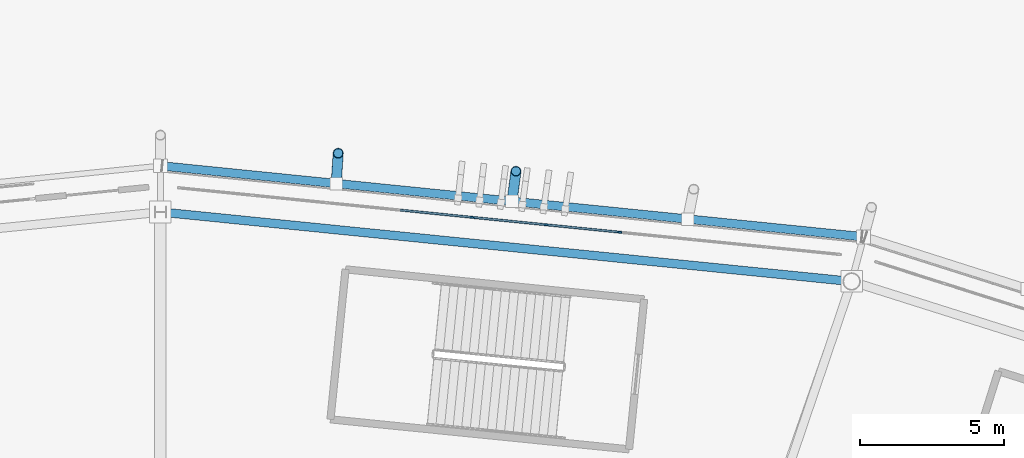
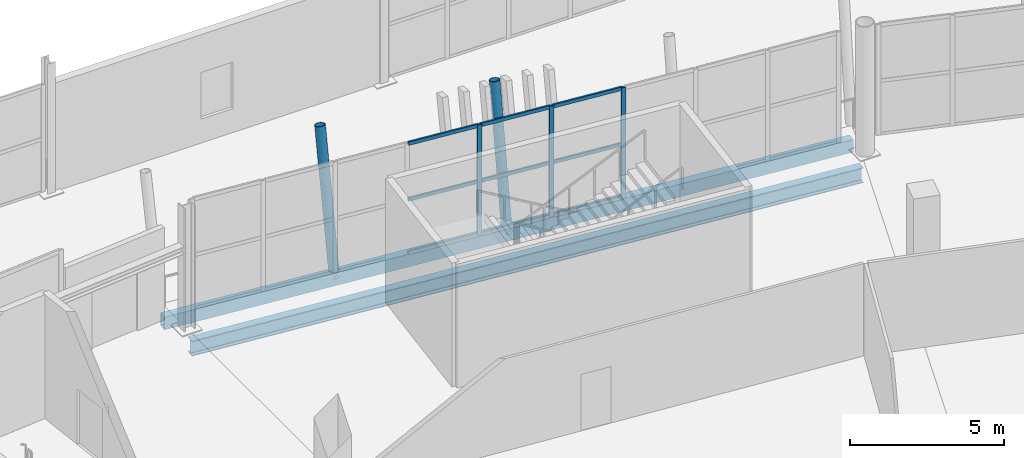
# One storey, part 77 of 178: 14 members, 2 beams, 1 element without a shape of its own.
"""IFC4 building model written with IfcOpenShell, lengths in metres."""

from ifc_helpers import new_model, si_unit, direction, frame, origin, origin_2d, place, context, subcontext, project, spatial, rectangle, hollow_rectangle, hollow_circle, i_section, extrude, material, material_profile, profile_set, type_object, element, aggregate, save


model = new_model("IFC4")

# Units and contexts
model_context = context("Model", 3, precision=1e-05, world=origin(), true_north=direction((0.0, 1.0)))
body_context = subcontext(model_context, "Body", "Model", "MODEL_VIEW")
ifc_project = project(units=[si_unit("LENGTHUNIT", "METRE"), si_unit("AREAUNIT", "SQUARE_METRE"), si_unit("VOLUMEUNIT", "CUBIC_METRE"), si_unit("PLANEANGLEUNIT", "RADIAN"), si_unit("MASSUNIT", "GRAM", prefix="KILO")], contexts=[model_context])

# Site, building, storey
site_placement = place(None, origin())
site = spatial("IfcSite", under=ifc_project, at=site_placement, CompositionType="ELEMENT")
building_placement = place(site_placement, origin())
building = spatial("IfcBuilding", under=site, at=building_placement, Name="Zlatoyarsky Gate Stadium", CompositionType="ELEMENT")
storey_placement = place(building_placement, frame((0.0, 0.0, 5.39990234375)))
storey = spatial("IfcBuildingStorey", under=building, at=storey_placement, Name="L01", CompositionType="ELEMENT", Elevation=5.39990234375)

# Curtain wall, members
ifc_material_1 = material(Name="Thermally broken anodised aluminium curtain wall", Category="aluminium")
curtain_wall_type = type_object("IfcCurtainWallType", Name="UNITISED HOSPITALITY GLAZING L01", PredefinedType="USERDEFINED", material=ifc_material_1)
curtain_wall_placement = place(storey_placement, origin())
curtain_wall = element("IfcCurtainWall", 1, at=curtain_wall_placement, inside=storey, type_object=curtain_wall_type, Name="Curtain wall CW-L01-05", ObjectType="UNITISED GLAZING", PredefinedType="USERDEFINED")
ifc_material_2 = material(Name="Anodised aluminium 6063-T6", Category="aluminium")
ifc_material_profile_1 = material_profile(ifc_material_2, rectangle(XDim=0.06494140625, YDim=0.159912109375, at=origin_2d()), Name="ALU 65X160")
ifc_profile_set_1 = profile_set([ifc_material_profile_1], Name="Anodised aluminium 6063-T6")
member_type_1 = type_object("IfcMemberType", Name="ALUMINIUM MULLION 65X160", PredefinedType="MULLION", material=ifc_profile_set_1)
member_1_placement = place(storey_placement, frame((126.988037109375, 150.296875, 0.0), z_axis=(0.0, 0.0, 1.0), x_axis=(-0.100300354307, -0.99495720457, 0.0)))
member_1 = element("IfcMember", 2, at=member_1_placement, type_object=member_type_1, Name="CW-UG1 mullion 4", PredefinedType="MULLION", context=body_context, shape_type="SweptSolid", body=[
    extrude(rectangle(XDim=0.06494140625, YDim=0.159912109375, at=origin_2d()), origin(), (0.0, 0.0, 1.0), 4.400146484375),
])
member_2_placement = place(storey_placement, frame((124.43115234375, 150.554443359375, 0.0), z_axis=(0.0, 0.0, 1.0), x_axis=(-0.100300354307, -0.99495720457, 0.0)))
member_2 = element("IfcMember", 3, at=member_2_placement, type_object=member_type_1, Name="CW-UG1 mullion 5", PredefinedType="MULLION", context=body_context, shape_type="SweptSolid", body=[
    extrude(rectangle(XDim=0.06494140625, YDim=0.159912109375, at=origin_2d()), origin(), (0.0, 0.0, 1.0), 4.400146484375),
])
member_3_placement = place(storey_placement, frame((121.874267578125, 150.812255859375, 0.0), z_axis=(0.0, 0.0, 1.0), x_axis=(-0.100300354307, -0.99495720457, 0.0)))
member_3 = element("IfcMember", 4, at=member_3_placement, type_object=member_type_1, Name="CW-UG1 mullion 6", PredefinedType="MULLION", context=body_context, shape_type="SweptSolid", body=[
    extrude(rectangle(XDim=0.06494140625, YDim=0.159912109375, at=origin_2d()), origin(), (0.0, 0.0, 1.0), 4.400146484375),
])
ifc_material_profile_2 = material_profile(ifc_material_2, rectangle(XDim=0.06494140625, YDim=0.139892578125, at=origin_2d()), Name="ALU 65X140")
ifc_profile_set_2 = profile_set([ifc_material_profile_2], Name="Anodised aluminium 6063-T6")
member_type_2 = type_object("IfcMemberType", Name="ALUMINIUM TRANSOM 65X140", PredefinedType="USERDEFINED", material=ifc_profile_set_2)
member_4_placement = place(storey_placement, frame((126.95556640625, 150.300048828125, 0.03271484375), z_axis=(-0.994957742763, 0.10029501541, 0.0), x_axis=(-0.10029501541, -0.994957742763, 0.0)))
member_4 = element("IfcMember", 5, at=member_4_placement, type_object=member_type_2, Name="CW-UG1 transom 4.1", ObjectType="TRANSOM", PredefinedType="USERDEFINED", context=body_context, shape_type="SweptSolid", body=[
    extrude(rectangle(XDim=0.06494140625, YDim=0.139892578125, at=origin_2d()), origin(), (0.0, 0.0, 1.0), 2.5048828125),
])
member_5_placement = place(storey_placement, frame((126.95556640625, 150.300048828125, 2.150146484375), z_axis=(-0.994957742763, 0.10029501541, 0.0), x_axis=(-0.10029501541, -0.994957742763, 0.0)))
member_5 = element("IfcMember", 6, at=member_5_placement, type_object=member_type_2, Name="CW-UG1 transom 4.2", ObjectType="TRANSOM", PredefinedType="USERDEFINED", context=body_context, shape_type="SweptSolid", body=[
    extrude(rectangle(XDim=0.06494140625, YDim=0.139892578125, at=origin_2d()), origin(), (0.0, 0.0, 1.0), 2.5048828125),
])
member_6_placement = place(storey_placement, frame((126.95556640625, 150.300048828125, 4.36767578125), z_axis=(-0.994957742763, 0.10029501541, 0.0), x_axis=(-0.10029501541, -0.994957742763, 0.0)))
member_6 = element("IfcMember", 7, at=member_6_placement, type_object=member_type_2, Name="CW-UG1 transom 4.3", ObjectType="TRANSOM", PredefinedType="USERDEFINED", context=body_context, shape_type="SweptSolid", body=[
    extrude(rectangle(XDim=0.06494140625, YDim=0.139892578125, at=origin_2d()), origin(), (0.0, 0.0, 1.0), 2.5048828125),
])
member_7_placement = place(storey_placement, frame((124.398681640625, 150.557861328125, 0.03271484375), z_axis=(-0.994957742763, 0.10029501541, 0.0), x_axis=(-0.10029501541, -0.994957742763, 0.0)))
member_7 = element("IfcMember", 8, at=member_7_placement, type_object=member_type_2, Name="CW-UG1 transom 5.1", ObjectType="TRANSOM", PredefinedType="USERDEFINED", context=body_context, shape_type="SweptSolid", body=[
    extrude(rectangle(XDim=0.06494140625, YDim=0.139892578125, at=origin_2d()), origin(), (0.0, 0.0, 1.0), 2.5048828125),
])
member_8_placement = place(storey_placement, frame((124.398681640625, 150.557861328125, 2.150146484375), z_axis=(-0.994957742763, 0.10029501541, 0.0), x_axis=(-0.10029501541, -0.994957742763, 0.0)))
member_8 = element("IfcMember", 9, at=member_8_placement, type_object=member_type_2, Name="CW-UG1 transom 5.2", ObjectType="TRANSOM", PredefinedType="USERDEFINED", context=body_context, shape_type="SweptSolid", body=[
    extrude(rectangle(XDim=0.06494140625, YDim=0.139892578125, at=origin_2d()), origin(), (0.0, 0.0, 1.0), 2.5048828125),
])
member_9_placement = place(storey_placement, frame((124.398681640625, 150.557861328125, 4.36767578125), z_axis=(-0.994957742763, 0.10029501541, 0.0), x_axis=(-0.10029501541, -0.994957742763, 0.0)))
member_9 = element("IfcMember", 10, at=member_9_placement, type_object=member_type_2, Name="CW-UG1 transom 5.3", ObjectType="TRANSOM", PredefinedType="USERDEFINED", context=body_context, shape_type="SweptSolid", body=[
    extrude(rectangle(XDim=0.06494140625, YDim=0.139892578125, at=origin_2d()), origin(), (0.0, 0.0, 1.0), 2.5048828125),
])
member_10_placement = place(storey_placement, frame((121.841796875, 150.8154296875, 0.03271484375), z_axis=(-0.994948011873, 0.100391501982, 0.0), x_axis=(-0.100391501982, -0.994948011873, 0.0)))
member_10 = element("IfcMember", 11, at=member_10_placement, type_object=member_type_2, Name="CW-UG1 transom 6.1", ObjectType="TRANSOM", PredefinedType="USERDEFINED", context=body_context, shape_type="SweptSolid", body=[
    extrude(rectangle(XDim=0.06494140625, YDim=0.139892578125, at=origin_2d()), origin(), (0.0, 0.0, 1.0), 2.5048828125),
])
member_11_placement = place(storey_placement, frame((121.841796875, 150.8154296875, 2.150146484375), z_axis=(-0.994948011873, 0.100391501982, 0.0), x_axis=(-0.100391501982, -0.994948011873, 0.0)))
member_11 = element("IfcMember", 12, at=member_11_placement, type_object=member_type_2, Name="CW-UG1 transom 6.2", ObjectType="TRANSOM", PredefinedType="USERDEFINED", context=body_context, shape_type="SweptSolid", body=[
    extrude(rectangle(XDim=0.06494140625, YDim=0.139892578125, at=origin_2d()), origin(), (0.0, 0.0, 1.0), 2.5048828125),
])
member_12_placement = place(storey_placement, frame((121.841796875, 150.8154296875, 4.36767578125), z_axis=(-0.994948011873, 0.100391501982, 0.0), x_axis=(-0.100391501982, -0.994948011873, 0.0)))
member_12 = element("IfcMember", 13, at=member_12_placement, type_object=member_type_2, Name="CW-UG1 transom 6.3", ObjectType="TRANSOM", PredefinedType="USERDEFINED", context=body_context, shape_type="SweptSolid", body=[
    extrude(rectangle(XDim=0.06494140625, YDim=0.139892578125, at=origin_2d()), origin(), (0.0, 0.0, 1.0), 2.5048828125),
])
aggregate(curtain_wall, [member_1, member_2, member_3, member_4, member_5, member_6, member_7, member_8, member_9, member_10, member_11, member_12])

# Members
ifc_material_3 = material(Name="Steel S355", Category="steel")
ifc_material_profile_3 = material_profile(ifc_material_3, hollow_circle(Radius=0.177734375, WallThickness=0.02001953125, at=origin_2d()), Name="CHS 355.6X20")
ifc_profile_set_3 = profile_set([ifc_material_profile_3], Name="Steel S355")
member_type_3 = type_object("IfcMemberType", Name="STEEL LEANING RIB RING STRUT CHS 355.6X20", PredefinedType="STRUT", material=ifc_profile_set_3)
member_13_placement = place(storey_placement, frame((123.243408203125, 151.371337890625, -0.7099609375), z_axis=(0.025156585677, 0.191368150867, 0.981195891263), x_axis=(-0.991469991675, 0.130335166425, 0.0)))
element("IfcMember", 14, at=member_13_placement, inside=storey, type_object=member_type_3, Name="Outward-leaning bowl louvre fin rib L01 05-2", PredefinedType="STRUT", context=body_context, shape_type="SweptSolid", body=[
    extrude(hollow_circle(Radius=0.177734375, WallThickness=0.02001953125, at=origin_2d()), origin(), (0.0, 0.0, 1.0), 5.483154296875),
])
member_14_placement = place(storey_placement, frame((117.12158203125, 151.989990234375, -0.7099609375), z_axis=(0.012599552655, 0.193000214699, 0.981117815759), x_axis=(-0.99787587919, 0.065143915527, 0.0)))
element("IfcMember", 15, at=member_14_placement, inside=storey, type_object=member_type_3, Name="Outward-leaning bowl louvre fin rib L01 05-3", PredefinedType="STRUT", context=body_context, shape_type="SweptSolid", body=[
    extrude(hollow_circle(Radius=0.177734375, WallThickness=0.02001953125, at=origin_2d()), origin(), (0.0, 0.0, 1.0), 5.483642578125),
])

# Beams
ifc_material_profile_4 = material_profile(ifc_material_3, hollow_rectangle(XDim=0.300048828125, YDim=0.5, WallThickness=0.02001953125, at=origin_2d()), Name="RHS 500X300X20")
ifc_profile_set_4 = profile_set([ifc_material_profile_4], Name="Steel S355")
beam_type_1 = type_object("IfcBeamType", Name="STEEL LOUVRE CARRIER SPANDREL RHS 500X300X20", PredefinedType="SPANDREL", material=ifc_profile_set_4)
beam_1_placement = place(storey_placement, frame((135.466552734375, 150.136474609375, -0.7099609375), z_axis=(-0.994934649728, 0.100523841803, 0.0), x_axis=(-0.100523841803, -0.994934649728, 0.0)))
element("IfcBeam", 16, at=beam_1_placement, inside=storey, type_object=beam_type_1, Name="Beam SP-RHS500 BM-L01-SPD-05", PredefinedType="SPANDREL", context=body_context, shape_type="SweptSolid", body=[
    extrude(hollow_rectangle(XDim=0.300048828125, YDim=0.5, WallThickness=0.02001953125, at=origin_2d()), origin(), (0.0, 0.0, 1.0), 24.571044921875),
])
ifc_material_profile_5 = material_profile(ifc_material_3, i_section(OverallWidth=0.300048828125, OverallDepth=0.60009765625, WebThickness=0.015380859375, FlangeThickness=0.030029296875, FilletRadius=0.027099609375, at=origin_2d()), Name="HEB 600")
ifc_profile_set_5 = profile_set([ifc_material_profile_5], Name="Steel S355")
beam_type_2 = type_object("IfcBeamType", Name="STEEL PRIMARY GIRDER HEB 600", PredefinedType="BEAM", material=ifc_profile_set_5)
beam_2_placement = place(storey_placement, frame((134.95068359375, 148.5927734375, -0.760009765625), z_axis=(-0.994986905268, 0.100005291586, 0.0), x_axis=(-0.100005291586, -0.994986905268, 0.0)))
element("IfcBeam", 17, at=beam_2_placement, inside=storey, type_object=beam_type_2, Name="Beam G-HEB600 BM-L01-CRC-05", PredefinedType="BEAM", context=body_context, shape_type="SweptSolid", body=[
    extrude(i_section(OverallWidth=0.300048828125, OverallDepth=0.60009765625, WebThickness=0.015380859375, FlangeThickness=0.030029296875, FilletRadius=0.027099609375, at=origin_2d()), origin(), (0.0, 0.0, 1.0), 23.951416015625),
])

save(model, "model.ifc")
